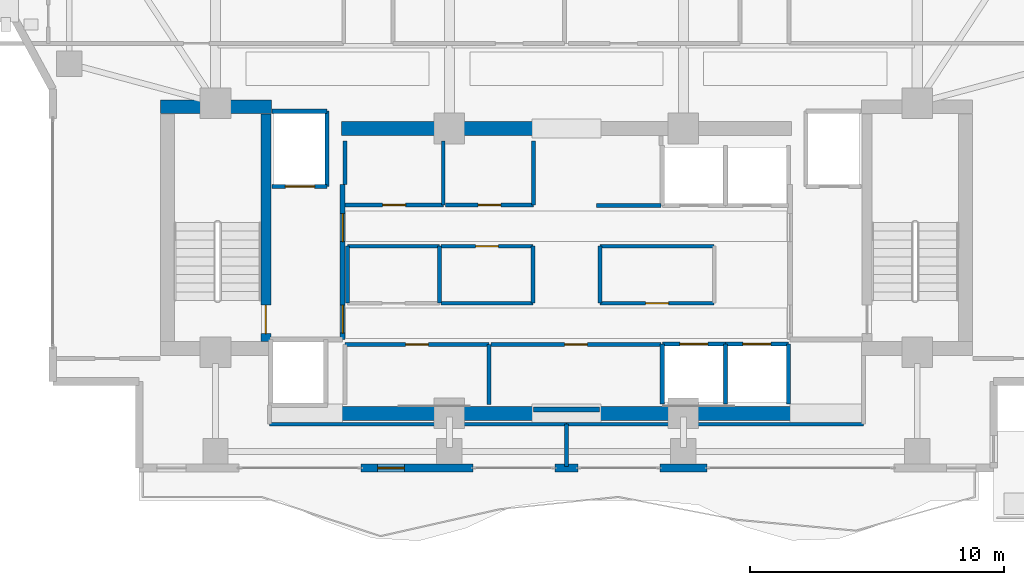
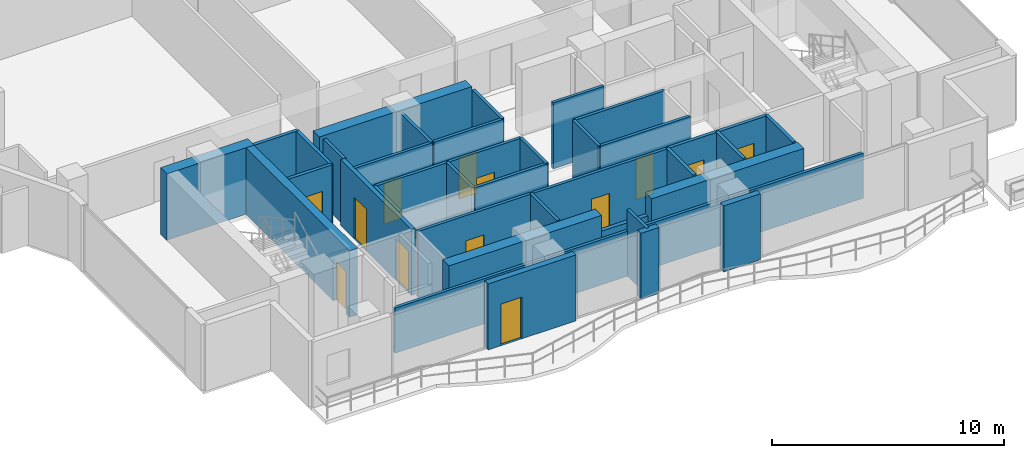
# One storey, part 19 of 25: 39 walls, 13 doors, 13 openings.
"""IFC4 building model written with IfcOpenShell, lengths in metres."""

from ifc_helpers import new_model, si_unit, direction, frame, frame_2d, origin, place, context, subcontext, project, spatial, rectangle, extrude, material, layer, layer_set, type_object, element, fill, save


model = new_model("IFC4")

# Units and contexts
model_context = context("Model", 3, precision=1e-05, world=origin(), true_north=direction((0.0, 1.0)))
body_context = subcontext(model_context, "Body", "Model", "MODEL_VIEW")
ifc_project = project(units=[si_unit("LENGTHUNIT", "METRE"), si_unit("AREAUNIT", "SQUARE_METRE"), si_unit("VOLUMEUNIT", "CUBIC_METRE"), si_unit("PLANEANGLEUNIT", "RADIAN"), si_unit("MASSUNIT", "GRAM", prefix="KILO")], contexts=[model_context])

# Site, building, storey
site_placement = place(None, origin())
site = spatial("IfcSite", under=ifc_project, at=site_placement, CompositionType="ELEMENT")
building_placement = place(site_placement, origin())
building = spatial("IfcBuilding", under=site, at=building_placement, Name="Zuhayl Quay Hotel", CompositionType="ELEMENT")
storey_placement = place(building_placement, frame((0.0, 0.0, 250.75)))
storey = spatial("IfcBuildingStorey", under=building, at=storey_placement, Name="L63", CompositionType="ELEMENT", Elevation=250.75)

# Walls
ifc_material_1 = material(Name="Concrete C50/60", Category="concrete")
ifc_layer_1 = layer(ifc_material_1, 0.550048828125, Name="Concrete C50/60", Category="concrete")
ifc_layer_set_1 = layer_set([ifc_layer_1], Name="Concrete C50/60")
wall_type_1 = type_object("IfcWallType", Name="WL_CORE_550", PredefinedType="SHEAR", material=ifc_layer_set_1)
wall_1_placement = place(storey_placement, frame((-15.9599609375, 14.205078125, 0.0), z_axis=(0.0, 0.0, 1.0), x_axis=(1.0, 0.0, 0.0)))
element("IfcWall", 1, at=wall_1_placement, inside=storey, type_object=wall_type_1, Name="L63 Core Shear Wall CW_NW", PredefinedType="SHEAR", context=body_context, shape_type="SweptSolid", body=[
    extrude(rectangle(XDim=4.35986328125, YDim=0.550048828125, at=frame_2d((2.179931640625, 0.0))), origin(), (0.0, 0.0, 1.0), 3.510009765625),
])
for number, where, z_axis, x_axis, name in (
    (2, (-8.85009765625, 2.14990234375, 0.0), (0.0, 0.0, 1.0), (1.0, 0.0, 0.0), "L63 Core Shear Wall CW_SC_W"),
    (3, (1.25, 2.14990234375, 0.0), (0.0, 0.0, 1.0), (1.0, 0.0, 0.0), "L63 Core Shear Wall CW_SC_E"),
    (4, (-8.85009765625, 13.35009765625, 0.0), (0.0, 0.0, 1.0), (1.0, 0.0, 0.0), "L63 Core Shear Wall CW_NC_W"),
):
    element("IfcWall", number, at=place(storey_placement, frame(where, z_axis=z_axis, x_axis=x_axis)), inside=storey, type_object=wall_type_1, Name=name, PredefinedType="SHEAR", context=body_context, shape_type="SweptSolid", body=[
        extrude(rectangle(XDim=7.60009765625, YDim=0.550048828125, at=frame_2d((3.800048828125, 0.0))), origin(), (0.0, 0.0, 1.0), 3.47998046875),
    ])
ifc_material_2 = material(Name="Precast concrete C45/55", Category="concrete")
ifc_layer_2 = layer(ifc_material_2, 0.300048828125, Name="Precast concrete C45/55", Category="concrete")
ifc_layer_set_2 = layer_set([ifc_layer_2], Name="Precast concrete C45/55")
wall_type_2 = type_object("IfcWallType", Name="WL_EXT_300", PredefinedType="STANDARD", material=ifc_layer_set_2)
wall_2_placement = place(storey_placement, frame((5.52001953125, 0.0, 0.0), z_axis=(0.0, 0.0, 1.0), x_axis=(-1.0, 0.0, 0.0)))
element("IfcWall", 5, at=wall_2_placement, inside=storey, type_object=wall_type_2, Name="L63 Exterior Precast Wall ENV_L63_S_EW2", PredefinedType="STANDARD", context=body_context, shape_type="SweptSolid", body=[
    extrude(rectangle(XDim=1.840087890625, YDim=0.300048828125, at=frame_2d((0.919921875, 0.0))), origin(), (0.0, 0.0, 1.0), 3.47998046875),
])
wall_3_placement = place(storey_placement, frame((0.449951171875, 0.0, 0.0), z_axis=(0.0, 0.0, 1.0), x_axis=(-1.0, 0.0, 0.0)))
element("IfcWall", 6, at=wall_3_placement, inside=storey, type_object=wall_type_2, Name="L63 Exterior Precast Wall ENV_L63_S_EW3", PredefinedType="STANDARD", context=body_context, shape_type="SweptSolid", body=[
    extrude(rectangle(XDim=0.89990234375, YDim=0.300048828125, at=frame_2d((0.449951171875, 0.0))), origin(), (0.0, 0.0, 1.0), 3.47998046875),
])

# Wall, opening, door
wall_4_placement = place(storey_placement, frame((-3.679931640625, 0.0, 0.0), z_axis=(0.0, 0.0, 1.0), x_axis=(-1.0, 0.0, 0.0)))
wall_4 = element("IfcWall", 7, at=wall_4_placement, inside=storey, type_object=wall_type_2, Name="L63 Exterior Precast Wall ENV_L63_S_EW4", PredefinedType="STANDARD", context=body_context, shape_type="SweptSolid", body=[
    extrude(rectangle(XDim=4.39501953125, YDim=0.300048828125, at=frame_2d((2.197509765625, 0.0))), origin(), (0.0, 0.0, 1.0), 3.47998046875),
])
opening_1_placement = place(wall_4_placement, frame((2.695068359375, 0.0, 0.0)))
opening_1 = element("IfcOpeningElement", 8, at=opening_1_placement, cuts=wall_4, Name="Opening DG1", PredefinedType="OPENING", context=body_context, shape_type="SweptSolid", body=[
    extrude(rectangle(XDim=1.050048828125, YDim=2.199951171875, at=frame_2d((0.52490234375, 1.10009765625))), frame((0.0, 0.159912109375, 0.0), z_axis=(0.0, -1.0, 0.0), x_axis=(1.0, 0.0, 0.0)), (0.0, 0.0, 1.0), 0.320068359375),
])
ifc_material_3 = material(Name="Anodised Aluminium and Dark Solar Glass", Category="aluminium")
door_type_1 = type_object("IfcDoorType", Name="DR_EXT_TERR_1050", OperationType="NOTDEFINED", PredefinedType="DOOR", material=ifc_material_3)
door_1_placement = place(opening_1_placement, origin())
door_1 = element("IfcDoor", 9, at=door_1_placement, inside=storey, type_object=door_type_1, Name="L63 South Rippling Balcony Door", OperationType="SINGLE_SWING_RIGHT", OverallHeight=2.199951171875, OverallWidth=1.050048828125, PredefinedType="DOOR", context=body_context, shape_type="SweptSolid", body=[
    extrude(rectangle(XDim=1.050048828125, YDim=2.199951171875, at=frame_2d((0.52490234375, 1.10009765625))), frame((0.0, 0.02490234375, 0.0), z_axis=(0.0, -1.0, 0.0), x_axis=(1.0, 0.0, 0.0)), (0.0, 0.0, 1.0), 0.050048828125),
])
fill(opening_1, door_1)

ifc_material_4 = material(Name="Acoustic Gypsum Partition STC-58")
ifc_layer_3 = layer(ifc_material_4, 0.14990234375, Name="Acoustic Gypsum Partition STC-58")
ifc_layer_set_3 = layer_set([ifc_layer_3], Name="Acoustic Gypsum Partition STC-58")
wall_type_3 = type_object("IfcWallType", Name="WL_PART_150", PredefinedType="PARTITIONING", material=ifc_layer_set_3)
wall_5_placement = place(storey_placement, frame((-8.7099609375, 4.860107421875, 0.0), z_axis=(0.0, 0.0, 1.0), x_axis=(1.0, 0.0, 0.0)))
wall_5 = element("IfcWall", 10, at=wall_5_placement, inside=storey, type_object=wall_type_3, Name="L63 Partition IW_L63_FMP_SW_N", PredefinedType="PARTITIONING", context=body_context, shape_type="SweptSolid", body=[
    extrude(rectangle(XDim=5.669921875, YDim=0.14990234375, at=frame_2d((2.8349609375, 0.0))), origin(), (0.0, 0.0, 1.0), 3.47998046875),
])
opening_2_placement = place(wall_5_placement, frame((2.385009765625, 0.0, 0.0)))
opening_2 = element("IfcOpeningElement", 11, at=opening_2_placement, cuts=wall_5, Name="Opening D06", PredefinedType="OPENING", context=body_context, shape_type="SweptSolid", body=[
    extrude(rectangle(XDim=0.89990234375, YDim=2.14990234375, at=frame_2d((0.449951171875, 1.074951171875))), frame((0.0, 0.0849609375, 0.0), z_axis=(0.0, -1.0, 0.0), x_axis=(1.0, 0.0, 0.0)), (0.0, 0.0, 1.0), 0.169921875),
])
ifc_material_5 = material(Name="Steel ASTM A992 Grade 50", Category="steel")
door_type_2 = type_object("IfcDoorType", Name="DR_INT_900", OperationType="NOTDEFINED", PredefinedType="DOOR", material=ifc_material_5)
door_2_placement = place(opening_2_placement, origin())
door_2 = element("IfcDoor", 12, at=door_2_placement, inside=storey, type_object=door_type_2, Name="L63 Sommelier Cellar Pantry Door", OperationType="SINGLE_SWING_RIGHT", OverallHeight=2.14990234375, OverallWidth=0.89990234375, PredefinedType="DOOR", context=body_context, shape_type="SweptSolid", body=[
    extrude(rectangle(XDim=0.89990234375, YDim=2.14990234375, at=frame_2d((0.449951171875, 1.074951171875))), frame((0.0, 0.02490234375, 0.0), z_axis=(0.0, -1.0, 0.0), x_axis=(1.0, 0.0, 0.0)), (0.0, 0.0, 1.0), 0.050048828125),
])
fill(opening_2, door_2)

wall_6_placement = place(storey_placement, frame((-2.9599609375, 4.860107421875, 0.0), z_axis=(0.0, 0.0, 1.0), x_axis=(1.0, 0.0, 0.0)))
wall_6 = element("IfcWall", 13, at=wall_6_placement, inside=storey, type_object=wall_type_3, Name="L63 Partition IW_L63_FMP_SE_N", PredefinedType="PARTITIONING", context=body_context, shape_type="SweptSolid", body=[
    extrude(rectangle(XDim=6.669921875, YDim=0.14990234375, at=frame_2d((3.3349609375, 0.0))), origin(), (0.0, 0.0, 1.0), 3.47998046875),
])
opening_3_placement = place(wall_6_placement, frame((2.885009765625, 0.0, 0.0)))
opening_3 = element("IfcOpeningElement", 14, at=opening_3_placement, cuts=wall_6, Name="Opening D06", PredefinedType="OPENING", context=body_context, shape_type="SweptSolid", body=[
    extrude(rectangle(XDim=0.89990234375, YDim=2.14990234375, at=frame_2d((0.449951171875, 1.074951171875))), frame((0.0, 0.0849609375, 0.0), z_axis=(0.0, -1.0, 0.0), x_axis=(1.0, 0.0, 0.0)), (0.0, 0.0, 1.0), 0.169921875),
])
door_3_placement = place(opening_3_placement, origin())
door_3 = element("IfcDoor", 15, at=door_3_placement, inside=storey, type_object=door_type_2, Name="L63 East Butler Store Door", OperationType="SINGLE_SWING_LEFT", OverallHeight=2.14990234375, OverallWidth=0.89990234375, PredefinedType="DOOR", context=body_context, shape_type="SweptSolid", body=[
    extrude(rectangle(XDim=0.89990234375, YDim=2.14990234375, at=frame_2d((0.449951171875, 1.074951171875))), frame((0.0, 0.02490234375, 0.0), z_axis=(0.0, -1.0, 0.0), x_axis=(1.0, 0.0, 0.0)), (0.0, 0.0, 1.0), 0.050048828125),
])
fill(opening_3, door_3)

wall_7_placement = place(storey_placement, frame((-8.7099609375, 10.340087890625, 0.0), z_axis=(0.0, 0.0, 1.0), x_axis=(1.0, 0.0, 0.0)))
wall_7 = element("IfcWall", 16, at=wall_7_placement, inside=storey, type_object=wall_type_3, Name="L63 Partition IW_L63_FMP_NW1_S", PredefinedType="PARTITIONING", context=body_context, shape_type="SweptSolid", body=[
    extrude(rectangle(XDim=3.869873046875, YDim=0.14990234375, at=frame_2d((1.93505859375, 0.0))), origin(), (0.0, 0.0, 1.0), 3.47998046875),
])
opening_4_placement = place(wall_7_placement, frame((1.485107421875, 0.0, 0.0)))
opening_4 = element("IfcOpeningElement", 17, at=opening_4_placement, cuts=wall_7, Name="Opening D06", PredefinedType="OPENING", context=body_context, shape_type="SweptSolid", body=[
    extrude(rectangle(XDim=0.89990234375, YDim=2.14990234375, at=frame_2d((0.449951171875, 1.074951171875))), frame((0.0, 0.0849609375, 0.0), z_axis=(0.0, -1.0, 0.0), x_axis=(1.0, 0.0, 0.0)), (0.0, 0.0, 1.0), 0.169921875),
])
door_4_placement = place(opening_4_placement, origin())
door_4 = element("IfcDoor", 18, at=door_4_placement, inside=storey, type_object=door_type_2, Name="L63 High-Zone Valet Store Door", OperationType="SINGLE_SWING_RIGHT", OverallHeight=2.14990234375, OverallWidth=0.89990234375, PredefinedType="DOOR", context=body_context, shape_type="SweptSolid", body=[
    extrude(rectangle(XDim=0.89990234375, YDim=2.14990234375, at=frame_2d((0.449951171875, 1.074951171875))), frame((0.0, 0.02490234375, 0.0), z_axis=(0.0, -1.0, 0.0), x_axis=(1.0, 0.0, 0.0)), (0.0, 0.0, 1.0), 0.050048828125),
])
fill(opening_4, door_4)

wall_8_placement = place(storey_placement, frame((-4.760009765625, 10.340087890625, 0.0), z_axis=(0.0, 0.0, 1.0), x_axis=(1.0, 0.0, 0.0)))
wall_8 = element("IfcWall", 19, at=wall_8_placement, inside=storey, type_object=wall_type_3, Name="L63 Partition IW_L63_FMP_NW2_S", PredefinedType="PARTITIONING", context=body_context, shape_type="SweptSolid", body=[
    extrude(rectangle(XDim=3.469970703125, YDim=0.14990234375, at=frame_2d((1.73486328125, 0.0))), origin(), (0.0, 0.0, 1.0), 3.47998046875),
])
opening_5_placement = place(wall_8_placement, frame((1.284912109375, 0.0, 0.0)))
opening_5 = element("IfcOpeningElement", 20, at=opening_5_placement, cuts=wall_8, Name="Opening D06", PredefinedType="OPENING", context=body_context, shape_type="SweptSolid", body=[
    extrude(rectangle(XDim=0.89990234375, YDim=2.14990234375, at=frame_2d((0.449951171875, 1.074951171875))), frame((0.0, 0.0849609375, 0.0), z_axis=(0.0, -1.0, 0.0), x_axis=(1.0, 0.0, 0.0)), (0.0, 0.0, 1.0), 0.169921875),
])
door_5_placement = place(opening_5_placement, origin())
door_5 = element("IfcDoor", 21, at=door_5_placement, inside=storey, type_object=door_type_2, Name="L63 North Linen Closet Door", OperationType="SINGLE_SWING_LEFT", OverallHeight=2.14990234375, OverallWidth=0.89990234375, PredefinedType="DOOR", context=body_context, shape_type="SweptSolid", body=[
    extrude(rectangle(XDim=0.89990234375, YDim=2.14990234375, at=frame_2d((0.449951171875, 1.074951171875))), frame((0.0, 0.02490234375, 0.0), z_axis=(0.0, -1.0, 0.0), x_axis=(1.0, 0.0, 0.0)), (0.0, 0.0, 1.0), 0.050048828125),
])
fill(opening_5, door_5)

wall_9_placement = place(storey_placement, frame((-4.929931640625, 8.719970703125, 0.0), z_axis=(0.0, 0.0, 1.0), x_axis=(1.0, 0.0, 0.0)))
wall_9 = element("IfcWall", 22, at=wall_9_placement, inside=storey, type_object=wall_type_3, Name="L63 Partition IW_L63_CORE_BM_N", PredefinedType="PARTITIONING", context=body_context, shape_type="SweptSolid", body=[
    extrude(rectangle(XDim=3.60986328125, YDim=0.14990234375, at=frame_2d((1.804931640625, 0.0))), origin(), (0.0, 0.0, 1.0), 3.47998046875),
])
opening_6_placement = place(wall_9_placement, frame((1.35498046875, 0.0, 0.0)))
opening_6 = element("IfcOpeningElement", 23, at=opening_6_placement, cuts=wall_9, Name="Opening D06", PredefinedType="OPENING", context=body_context, shape_type="SweptSolid", body=[
    extrude(rectangle(XDim=0.89990234375, YDim=2.14990234375, at=frame_2d((0.449951171875, 1.074951171875))), frame((0.0, 0.0849609375, 0.0), z_axis=(0.0, -1.0, 0.0), x_axis=(1.0, 0.0, 0.0)), (0.0, 0.0, 1.0), 0.169921875),
])
door_6_placement = place(opening_6_placement, origin())
door_6 = element("IfcDoor", 24, at=door_6_placement, inside=storey, type_object=door_type_2, Name="L63 Telecom and BMS Closet Door", OperationType="SINGLE_SWING_LEFT", OverallHeight=2.14990234375, OverallWidth=0.89990234375, PredefinedType="DOOR", context=body_context, shape_type="SweptSolid", body=[
    extrude(rectangle(XDim=0.89990234375, YDim=2.14990234375, at=frame_2d((0.449951171875, 1.074951171875))), frame((0.0, 0.02490234375, 0.0), z_axis=(0.0, -1.0, 0.0), x_axis=(1.0, 0.0, 0.0)), (0.0, 0.0, 1.0), 0.050048828125),
])
fill(opening_6, door_6)

wall_10_placement = place(storey_placement, frame((1.320068359375, 6.47998046875, 0.0), z_axis=(0.0, 0.0, 1.0), x_axis=(1.0, 0.0, 0.0)))
wall_10 = element("IfcWall", 25, at=wall_10_placement, inside=storey, type_object=wall_type_3, Name="L63 Partition IW_L63_CORE_PN_S", PredefinedType="PARTITIONING", context=body_context, shape_type="SweptSolid", body=[
    extrude(rectangle(XDim=4.489990234375, YDim=0.14990234375, at=frame_2d((2.2451171875, 0.0))), origin(), (0.0, 0.0, 1.0), 3.47998046875),
])
opening_7_placement = place(wall_10_placement, frame((1.794921875, 0.0, 0.0)))
opening_7 = element("IfcOpeningElement", 26, at=opening_7_placement, cuts=wall_10, Name="Opening D06", PredefinedType="OPENING", context=body_context, shape_type="SweptSolid", body=[
    extrude(rectangle(XDim=0.89990234375, YDim=2.14990234375, at=frame_2d((0.449951171875, 1.074951171875))), frame((0.0, 0.0849609375, 0.0), z_axis=(0.0, -1.0, 0.0), x_axis=(1.0, 0.0, 0.0)), (0.0, 0.0, 1.0), 0.169921875),
])
door_7_placement = place(opening_7_placement, origin())
door_7 = element("IfcDoor", 27, at=door_7_placement, inside=storey, type_object=door_type_2, Name="L63 Core Ice and Pantry Room Door", OperationType="SINGLE_SWING_RIGHT", OverallHeight=2.14990234375, OverallWidth=0.89990234375, PredefinedType="DOOR", context=body_context, shape_type="SweptSolid", body=[
    extrude(rectangle(XDim=0.89990234375, YDim=2.14990234375, at=frame_2d((0.449951171875, 1.074951171875))), frame((0.0, 0.02490234375, 0.0), z_axis=(0.0, -1.0, 0.0), x_axis=(1.0, 0.0, 0.0)), (0.0, 0.0, 1.0), 0.050048828125),
])
fill(opening_7, door_7)

# Walls
wall_11_placement = place(storey_placement, frame((-3.0400390625, 2.489990234375, 0.0), z_axis=(0.0, 0.0, 1.0), x_axis=(0.0, 1.0, 0.0)))
element("IfcWall", 28, at=wall_11_placement, inside=storey, type_object=wall_type_3, Name="L63 Partition IW_L63_FMP_SW_E", PredefinedType="PARTITIONING", context=body_context, shape_type="SweptSolid", body=[
    extrude(rectangle(XDim=2.3701171875, YDim=0.14990234375, at=frame_2d((1.18505859375, 0.0))), origin(), (0.0, 0.0, 1.0), 3.47998046875),
])
wall_12_placement = place(storey_placement, frame((-8.7099609375, 11.14990234375, 0.0), z_axis=(0.0, 0.0, 1.0), x_axis=(0.0, 1.0, 0.0)))
element("IfcWall", 29, at=wall_12_placement, inside=storey, type_object=wall_type_3, Name="L63 Partition IW_L63_FMP_NW1_W", PredefinedType="PARTITIONING", context=body_context, shape_type="SweptSolid", body=[
    extrude(rectangle(XDim=1.710205078125, YDim=0.14990234375, at=frame_2d((0.85498046875, 0.0))), origin(), (0.0, 0.0, 1.0), 3.47998046875),
])
for number, where, z_axis, x_axis, name in (
    (30, (-4.840087890625, 10.340087890625, 0.0), (0.0, 0.0, 1.0), (0.0, 1.0, 0.0), "L63 Partition IW_L63_FMP_NW1_E"),
    (31, (-1.2900390625, 10.340087890625, 0.0), (0.0, 0.0, 1.0), (0.0, 1.0, 0.0), "L63 Partition IW_L63_FMP_NW2_E"),
):
    element("IfcWall", number, at=place(storey_placement, frame(where, z_axis=z_axis, x_axis=x_axis)), inside=storey, type_object=wall_type_3, Name=name, PredefinedType="PARTITIONING", context=body_context, shape_type="SweptSolid", body=[
        extrude(rectangle(XDim=2.52001953125, YDim=0.14990234375, at=frame_2d((1.260009765625, 0.0))), origin(), (0.0, 0.0, 1.0), 3.47998046875),
    ])
wall_13_placement = place(storey_placement, frame((-8.610107421875, 8.719970703125, 0.0), z_axis=(0.0, 0.0, 1.0), x_axis=(1.0, 0.0, 0.0)))
element("IfcWall", 32, at=wall_13_placement, inside=storey, type_object=wall_type_3, Name="L63 Partition IW_L63_CORE_SW_N", PredefinedType="PARTITIONING", context=body_context, shape_type="SweptSolid", body=[
    extrude(rectangle(XDim=3.6201171875, YDim=0.14990234375, at=frame_2d((1.81005859375, 0.0))), origin(), (0.0, 0.0, 1.0), 3.47998046875),
])
for number, where, z_axis, x_axis, name in (
    (33, (-8.610107421875, 6.47998046875, 0.0), (0.0, 0.0, 1.0), (0.0, 1.0, 0.0), "L63 Partition IW_L63_CORE_SW_W"),
    (34, (-4.989990234375, 6.47998046875, 0.0), (0.0, 0.0, 1.0), (0.0, 1.0, 0.0), "L63 Partition IW_L63_CORE_SW_E"),
):
    element("IfcWall", number, at=place(storey_placement, frame(where, z_axis=z_axis, x_axis=x_axis)), inside=storey, type_object=wall_type_3, Name=name, PredefinedType="PARTITIONING", context=body_context, shape_type="SweptSolid", body=[
        extrude(rectangle(XDim=2.239990234375, YDim=0.14990234375, at=frame_2d((1.1201171875, 0.0))), origin(), (0.0, 0.0, 1.0), 3.47998046875),
    ])
wall_14_placement = place(storey_placement, frame((-4.929931640625, 6.47998046875, 0.0), z_axis=(0.0, 0.0, 1.0), x_axis=(1.0, 0.0, 0.0)))
element("IfcWall", 35, at=wall_14_placement, inside=storey, type_object=wall_type_3, Name="L63 Partition IW_L63_CORE_BM_S", PredefinedType="PARTITIONING", context=body_context, shape_type="SweptSolid", body=[
    extrude(rectangle(XDim=3.60986328125, YDim=0.14990234375, at=frame_2d((1.804931640625, 0.0))), origin(), (0.0, 0.0, 1.0), 3.47998046875),
])
wall_15_placement = place(storey_placement, frame((-1.320068359375, 6.47998046875, 0.0), z_axis=(0.0, 0.0, 1.0), x_axis=(0.0, 1.0, 0.0)))
element("IfcWall", 36, at=wall_15_placement, inside=storey, type_object=wall_type_3, Name="L63 Partition IW_L63_CORE_BM_E", PredefinedType="PARTITIONING", context=body_context, shape_type="SweptSolid", body=[
    extrude(rectangle(XDim=2.239990234375, YDim=0.14990234375, at=frame_2d((1.1201171875, 0.0))), origin(), (0.0, 0.0, 1.0), 3.47998046875),
])
wall_16_placement = place(storey_placement, frame((1.320068359375, 8.719970703125, 0.0), z_axis=(0.0, 0.0, 1.0), x_axis=(1.0, 0.0, 0.0)))
element("IfcWall", 37, at=wall_16_placement, inside=storey, type_object=wall_type_3, Name="L63 Partition IW_L63_CORE_PN_N", PredefinedType="PARTITIONING", context=body_context, shape_type="SweptSolid", body=[
    extrude(rectangle(XDim=4.489990234375, YDim=0.14990234375, at=frame_2d((2.2451171875, 0.0))), origin(), (0.0, 0.0, 1.0), 3.47998046875),
])
wall_17_placement = place(storey_placement, frame((1.320068359375, 6.47998046875, 0.0), z_axis=(0.0, 0.0, 1.0), x_axis=(0.0, 1.0, 0.0)))
element("IfcWall", 38, at=wall_17_placement, inside=storey, type_object=wall_type_3, Name="L63 Partition IW_L63_CORE_PN_W", PredefinedType="PARTITIONING", context=body_context, shape_type="SweptSolid", body=[
    extrude(rectangle(XDim=2.239990234375, YDim=0.14990234375, at=frame_2d((1.1201171875, 0.0))), origin(), (0.0, 0.0, 1.0), 3.47998046875),
])
wall_18_placement = place(storey_placement, frame((1.179931640625, 10.320068359375, 0.0), z_axis=(0.0, 0.0, 1.0), x_axis=(1.0, 0.0, 0.0)))
element("IfcWall", 39, at=wall_18_placement, inside=storey, type_object=wall_type_3, Name="L63 Partition IW_L63_VEST_MP4_S", PredefinedType="PARTITIONING", context=body_context, shape_type="SweptSolid", body=[
    extrude(rectangle(XDim=2.5400390625, YDim=0.14990234375, at=frame_2d((1.27001953125, 0.0))), origin(), (0.0, 0.0, 1.0), 3.47998046875),
])
for number, where, z_axis, x_axis, name in (
    (40, (-11.679931640625, 1.719970703125, 0.0), (0.0, 0.0, 1.0), (1.0, 0.0, 0.0), "L63 Partition IW_L63_Z4_SUN_SW_SN"),
    (41, (0.0, 1.719970703125, 0.0), (0.0, 0.0, 1.0), (1.0, 0.0, 0.0), "L63 Partition IW_L63_Z4_SUN_SE_SN"),
):
    element("IfcWall", number, at=place(storey_placement, frame(where, z_axis=z_axis, x_axis=x_axis)), inside=storey, type_object=wall_type_3, Name=name, PredefinedType="PARTITIONING", context=body_context, shape_type="SweptSolid", body=[
        extrude(rectangle(XDim=11.679931640625, YDim=0.14990234375, at=frame_2d((5.83984375, 0.0))), origin(), (0.0, 0.0, 1.0), 2.3798828125),
    ])
wall_19_placement = place(storey_placement, frame((0.0, 0.06005859375, 0.0), z_axis=(0.0, 0.0, 1.0), x_axis=(0.0, 1.0, 0.0)))
element("IfcWall", 42, at=wall_19_placement, inside=storey, type_object=wall_type_3, Name="L63 Partition IW_L63_Z4_SUN_MID", PredefinedType="PARTITIONING", context=body_context, shape_type="SweptSolid", body=[
    extrude(rectangle(XDim=1.659912109375, YDim=0.14990234375, at=frame_2d((0.830078125, 0.0))), origin(), (0.0, 0.0, 1.0), 3.47998046875),
])

# Wall, opening, door
ifc_material_6 = material(Name="Gypsum Fireboard Assembly EI-90")
ifc_layer_4 = layer(ifc_material_6, 0.1650390625, Name="Gypsum Fireboard Assembly EI-90")
ifc_layer_set_4 = layer_set([ifc_layer_4], Name="Gypsum Fireboard Assembly EI-90")
wall_type_4 = type_object("IfcWallType", Name="WL_PART_SHAFT_160", PredefinedType="PARTITIONING", material=ifc_layer_set_4)
wall_20_placement = place(storey_placement, frame((-11.580078125, 11.070068359375, 0.0), z_axis=(0.0, 0.0, 1.0), x_axis=(1.0, 0.0, 0.0)))
wall_20 = element("IfcWall", 43, at=wall_20_placement, inside=storey, type_object=wall_type_4, Name="L63 Partition IW_L63_SH_FL1_F", PredefinedType="PARTITIONING", context=body_context, shape_type="SweptSolid", body=[
    extrude(rectangle(XDim=2.16015625, YDim=0.1650390625, at=frame_2d((1.080078125, 0.0))), origin(), (0.0, 0.0, 1.0), 3.47998046875),
])
opening_8_placement = place(wall_20_placement, frame((0.530029296875, 0.0, 0.0)))
opening_8 = element("IfcOpeningElement", 44, at=opening_8_placement, cuts=wall_20, Name="Opening LD2", PredefinedType="OPENING", context=body_context, shape_type="SweptSolid", body=[
    extrude(rectangle(XDim=1.14990234375, YDim=2.25, at=frame_2d((0.574951171875, 1.125))), frame((0.0, 0.092529296875, 0.0), z_axis=(0.0, -1.0, 0.0), x_axis=(1.0, 0.0, 0.0)), (0.0, 0.0, 1.0), 0.18505859375),
])
ifc_material_7 = material(Name="Brushed Stainless Steel", Category="steel")
door_type_3 = type_object("IfcDoorType", Name="DR_LIFT_FF_1100", OperationType="SLIDING_TO_LEFT", PredefinedType="DOOR", material=ifc_material_7)
door_8_placement = place(opening_8_placement, origin())
door_8 = element("IfcDoor", 45, at=door_8_placement, inside=storey, type_object=door_type_3, Name="L63 Lift FL1 Sliding Landing Door", OperationType="SLIDING_TO_LEFT", OverallHeight=2.25, OverallWidth=1.14990234375, PredefinedType="DOOR", context=body_context, shape_type="SweptSolid", body=[
    extrude(rectangle(XDim=1.14990234375, YDim=2.25, at=frame_2d((0.574951171875, 1.125))), frame((0.0, 0.02490234375, 0.0), z_axis=(0.0, -1.0, 0.0), x_axis=(1.0, 0.0, 0.0)), (0.0, 0.0, 1.0), 0.050048828125),
])
fill(opening_8, door_8)

wall_21_placement = place(storey_placement, frame((3.77001953125, 4.8798828125, 0.0), z_axis=(0.0, 0.0, 1.0), x_axis=(1.0, 0.0, 0.0)))
wall_21 = element("IfcWall", 46, at=wall_21_placement, inside=storey, type_object=wall_type_4, Name="L63 Partition IW_L63_SH_HP1_F", PredefinedType="PARTITIONING", context=body_context, shape_type="SweptSolid", body=[
    extrude(rectangle(XDim=2.47998046875, YDim=0.1650390625, at=frame_2d((1.239990234375, 0.0))), origin(), (0.0, 0.0, 1.0), 3.47998046875),
])
opening_9_placement = place(wall_21_placement, frame((0.68994140625, 0.0, 0.0)))
opening_9 = element("IfcOpeningElement", 47, at=opening_9_placement, cuts=wall_21, Name="Opening LD1", PredefinedType="OPENING", context=body_context, shape_type="SweptSolid", body=[
    extrude(rectangle(XDim=1.10009765625, YDim=2.25, at=frame_2d((0.550048828125, 1.125))), frame((0.0, 0.092529296875, 0.0), z_axis=(0.0, -1.0, 0.0), x_axis=(1.0, 0.0, 0.0)), (0.0, 0.0, 1.0), 0.18505859375),
])
door_type_4 = type_object("IfcDoorType", Name="DR_LIFT_PASS_1100", OperationType="SLIDING_TO_LEFT", PredefinedType="DOOR", material=ifc_material_7)
door_9_placement = place(opening_9_placement, origin())
door_9 = element("IfcDoor", 48, at=door_9_placement, inside=storey, type_object=door_type_4, Name="L63 Lift HP1 Sliding Landing Door", OperationType="SLIDING_TO_LEFT", OverallHeight=2.25, OverallWidth=1.10009765625, PredefinedType="DOOR", context=body_context, shape_type="SweptSolid", body=[
    extrude(rectangle(XDim=1.10009765625, YDim=2.25, at=frame_2d((0.550048828125, 1.125))), frame((0.0, 0.02490234375, 0.0), z_axis=(0.0, -1.0, 0.0), x_axis=(1.0, 0.0, 0.0)), (0.0, 0.0, 1.0), 0.050048828125),
])
fill(opening_9, door_9)

wall_22_placement = place(storey_placement, frame((6.25, 4.8798828125, 0.0), z_axis=(0.0, 0.0, 1.0), x_axis=(1.0, 0.0, 0.0)))
wall_22 = element("IfcWall", 49, at=wall_22_placement, inside=storey, type_object=wall_type_4, Name="L63 Partition IW_L63_SH_HP2_F", PredefinedType="PARTITIONING", context=body_context, shape_type="SweptSolid", body=[
    extrude(rectangle(XDim=2.47998046875, YDim=0.1650390625, at=frame_2d((1.239990234375, 0.0))), origin(), (0.0, 0.0, 1.0), 3.47998046875),
])
opening_10_placement = place(wall_22_placement, frame((0.68994140625, 0.0, 0.0)))
opening_10 = element("IfcOpeningElement", 50, at=opening_10_placement, cuts=wall_22, Name="Opening LD1", PredefinedType="OPENING", context=body_context, shape_type="SweptSolid", body=[
    extrude(rectangle(XDim=1.10009765625, YDim=2.25, at=frame_2d((0.550048828125, 1.125))), frame((0.0, 0.092529296875, 0.0), z_axis=(0.0, -1.0, 0.0), x_axis=(1.0, 0.0, 0.0)), (0.0, 0.0, 1.0), 0.18505859375),
])
door_10_placement = place(opening_10_placement, origin())
door_10 = element("IfcDoor", 51, at=door_10_placement, inside=storey, type_object=door_type_4, Name="L63 Lift HP2 Sliding Landing Door", OperationType="SLIDING_TO_LEFT", OverallHeight=2.25, OverallWidth=1.10009765625, PredefinedType="DOOR", context=body_context, shape_type="SweptSolid", body=[
    extrude(rectangle(XDim=1.10009765625, YDim=2.25, at=frame_2d((0.550048828125, 1.125))), frame((0.0, 0.02490234375, 0.0), z_axis=(0.0, -1.0, 0.0), x_axis=(1.0, 0.0, 0.0)), (0.0, 0.0, 1.0), 0.050048828125),
])
fill(opening_10, door_10)

# Walls
wall_23_placement = place(storey_placement, frame((-9.419921875, 11.070068359375, 0.0), z_axis=(0.0, 0.0, 1.0), x_axis=(0.0, 1.0, 0.0)))
element("IfcWall", 52, at=wall_23_placement, inside=storey, type_object=wall_type_4, Name="L63 Partition IW_L63_SH_FL1_E", PredefinedType="PARTITIONING", context=body_context, shape_type="SweptSolid", body=[
    extrude(rectangle(XDim=2.9599609375, YDim=0.1650390625, at=frame_2d((1.47998046875, 0.0))), origin(), (0.0, 0.0, 1.0), 3.47998046875),
])
wall_24_placement = place(storey_placement, frame((-11.580078125, 14.030029296875, 0.0), z_axis=(0.0, 0.0, 1.0), x_axis=(1.0, 0.0, 0.0)))
element("IfcWall", 53, at=wall_24_placement, inside=storey, type_object=wall_type_4, Name="L63 Partition IW_L63_SH_FL1_B", PredefinedType="PARTITIONING", context=body_context, shape_type="SweptSolid", body=[
    extrude(rectangle(XDim=2.16015625, YDim=0.1650390625, at=frame_2d((1.080078125, 0.0))), origin(), (0.0, 0.0, 1.0), 3.47998046875),
])
for number, where, z_axis, x_axis, name in (
    (54, (3.77001953125, 2.52001953125, 0.0), (0.0, 0.0, 1.0), (0.0, 1.0, 0.0), "L63 Partition IW_L63_SH_HP1_W"),
    (55, (6.25, 2.52001953125, 0.0), (0.0, 0.0, 1.0), (0.0, 1.0, 0.0), "L63 Partition IW_L63_SH_HP1_E"),
    (56, (8.72998046875, 2.52001953125, 0.0), (0.0, 0.0, 1.0), (0.0, 1.0, 0.0), "L63 Partition IW_L63_SH_HP2_E"),
):
    element("IfcWall", number, at=place(storey_placement, frame(where, z_axis=z_axis, x_axis=x_axis)), inside=storey, type_object=wall_type_4, Name=name, PredefinedType="PARTITIONING", context=body_context, shape_type="SweptSolid", body=[
        extrude(rectangle(XDim=2.35986328125, YDim=0.1650390625, at=frame_2d((1.179931640625, 0.0))), origin(), (0.0, 0.0, 1.0), 3.47998046875),
    ])

# Wall, openings, doors
ifc_material_8 = material(Name="Gypsum Fireboard Assembly EI-120")
ifc_layer_5 = layer(ifc_material_8, 0.199951171875, Name="Gypsum Fireboard Assembly EI-120")
ifc_layer_set_5 = layer_set([ifc_layer_5], Name="Gypsum Fireboard Assembly EI-120")
wall_type_5 = type_object("IfcWallType", Name="WL_PART_SHAFT_200", PredefinedType="PARTITIONING", material=ifc_layer_set_5)
wall_25_placement = place(storey_placement, frame((-8.800048828125, 5.050048828125, 0.0), z_axis=(0.0, 0.0, 1.0), x_axis=(0.0, 1.0, 0.0)))
wall_25 = element("IfcWall", 57, at=wall_25_placement, inside=storey, type_object=wall_type_5, Name="L63 Partition IW_L63_FSAE_W_E", PredefinedType="PARTITIONING", context=body_context, shape_type="SweptSolid", body=[
    extrude(rectangle(XDim=6.099853515625, YDim=0.199951171875, at=frame_2d((3.0498046875, 0.0))), origin(), (0.0, 0.0, 1.0), 3.47998046875),
])
opening_11_placement = place(wall_25_placement, frame((0.25, 0.0, 0.0)))
opening_11 = element("IfcOpeningElement", 58, at=opening_11_placement, cuts=wall_25, Name="Opening D02", PredefinedType="OPENING", context=body_context, shape_type="SweptSolid", body=[
    extrude(rectangle(XDim=1.10009765625, YDim=2.199951171875, at=frame_2d((0.550048828125, 1.10009765625))), frame((0.0, 0.10986328125, 0.0), z_axis=(0.0, -1.0, 0.0), x_axis=(1.0, 0.0, 0.0)), (0.0, 0.0, 1.0), 0.219970703125),
])
opening_12_placement = place(wall_25_placement, frame((3.85009765625, 0.0, 0.0)))
opening_12 = element("IfcOpeningElement", 59, at=opening_12_placement, cuts=wall_25, Name="Opening D02", PredefinedType="OPENING", context=body_context, shape_type="SweptSolid", body=[
    extrude(rectangle(XDim=1.10009765625, YDim=2.199951171875, at=frame_2d((0.550048828125, 1.10009765625))), frame((0.0, 0.10986328125, 0.0), z_axis=(0.0, -1.0, 0.0), x_axis=(1.0, 0.0, 0.0)), (0.0, 0.0, 1.0), 0.219970703125),
])
door_type_5 = type_object("IfcDoorType", Name="DR_FIRE_90_1100", OperationType="NOTDEFINED", PredefinedType="DOOR", material=ifc_material_5)
door_11_placement = place(opening_11_placement, origin())
door_11 = element("IfcDoor", 60, at=door_11_placement, inside=storey, type_object=door_type_5, Name="L63 FSAE Lobby West South Entry Door", OperationType="SINGLE_SWING_RIGHT", OverallHeight=2.199951171875, OverallWidth=1.10009765625, PredefinedType="DOOR", context=body_context, shape_type="SweptSolid", body=[
    extrude(rectangle(XDim=1.10009765625, YDim=2.199951171875, at=frame_2d((0.550048828125, 1.10009765625))), frame((0.0, 0.02490234375, 0.0), z_axis=(0.0, -1.0, 0.0), x_axis=(1.0, 0.0, 0.0)), (0.0, 0.0, 1.0), 0.050048828125),
])
fill(opening_11, door_11)
door_12_placement = place(opening_12_placement, origin())
door_12 = element("IfcDoor", 61, at=door_12_placement, inside=storey, type_object=door_type_5, Name="L63 FSAE Lobby West North Entry Door", OperationType="SINGLE_SWING_LEFT", OverallHeight=2.199951171875, OverallWidth=1.10009765625, PredefinedType="DOOR", context=body_context, shape_type="SweptSolid", body=[
    extrude(rectangle(XDim=1.10009765625, YDim=2.199951171875, at=frame_2d((0.550048828125, 1.10009765625))), frame((0.0, 0.02490234375, 0.0), z_axis=(0.0, -1.0, 0.0), x_axis=(1.0, 0.0, 0.0)), (0.0, 0.0, 1.0), 0.050048828125),
])
fill(opening_12, door_12)

# Wall
wall_26_placement = place(storey_placement, frame((-1.300048828125, 2.300048828125, 0.0), z_axis=(0.0, 0.0, 1.0), x_axis=(1.0, 0.0, 0.0)))
element("IfcWall", 62, at=wall_26_placement, inside=storey, type_object=wall_type_5, Name="L63 Partition IW_L63_CORE_SCM", PredefinedType="PARTITIONING", context=body_context, shape_type="SweptSolid", body=[
    extrude(rectangle(XDim=2.60009765625, YDim=0.199951171875, at=frame_2d((1.300048828125, 0.0))), origin(), (0.0, 0.0, 1.0), 2.3798828125),
])

# Wall, opening, door
ifc_material_9 = material(Name="Concrete C60/75", Category="concrete")
ifc_layer_6 = layer(ifc_material_9, 0.39990234375, Name="Concrete C60/75", Category="concrete")
ifc_layer_set_6 = layer_set([ifc_layer_6], Name="Concrete C60/75")
wall_type_6 = type_object("IfcWallType", Name="WL_STAIR_400", PredefinedType="SHEAR", material=ifc_layer_set_6)
wall_27_placement = place(storey_placement, frame((-11.820068359375, 4.969970703125, 0.0), z_axis=(0.0, 0.0, 1.0), x_axis=(0.0, 1.0, 0.0)))
wall_27 = element("IfcWall", 63, at=wall_27_placement, inside=storey, type_object=wall_type_6, Name="L63 Core Shear Wall SW_ST1", PredefinedType="SHEAR", context=body_context, shape_type="SweptSolid", body=[
    extrude(rectangle(XDim=8.9599609375, YDim=0.39990234375, at=frame_2d((4.47998046875, 0.0))), origin(), (0.0, 0.0, 1.0), 3.510009765625),
])
opening_13_placement = place(wall_27_placement, frame((0.31005859375, 0.0, 0.0)))
opening_13 = element("IfcOpeningElement", 64, at=opening_13_placement, cuts=wall_27, Name="Opening D01", PredefinedType="OPENING", context=body_context, shape_type="SweptSolid", body=[
    extrude(rectangle(XDim=1.1201171875, YDim=2.219970703125, at=frame_2d((0.56005859375, 1.10986328125))), frame((0.0, 0.2099609375, 0.0), z_axis=(0.0, -1.0, 0.0), x_axis=(1.0, 0.0, 0.0)), (0.0, 0.0, 1.0), 0.419921875),
])
door_type_6 = type_object("IfcDoorType", Name="DR_STAIR_90_1100", OperationType="NOTDEFINED", PredefinedType="DOOR", material=ifc_material_5)
door_13_placement = place(opening_13_placement, origin())
door_13 = element("IfcDoor", 65, at=door_13_placement, inside=storey, type_object=door_type_6, Name="L63 Smokeproof Exit Stair ST1 Door", OperationType="SINGLE_SWING_LEFT", OverallHeight=2.219970703125, OverallWidth=1.1201171875, PredefinedType="DOOR", context=body_context, shape_type="SweptSolid", body=[
    extrude(rectangle(XDim=1.1201171875, YDim=2.219970703125, at=frame_2d((0.56005859375, 1.10986328125))), frame((0.0, 0.02490234375, 0.0), z_axis=(0.0, -1.0, 0.0), x_axis=(1.0, 0.0, 0.0)), (0.0, 0.0, 1.0), 0.050048828125),
])
fill(opening_13, door_13)

save(model, "model.ifc")
